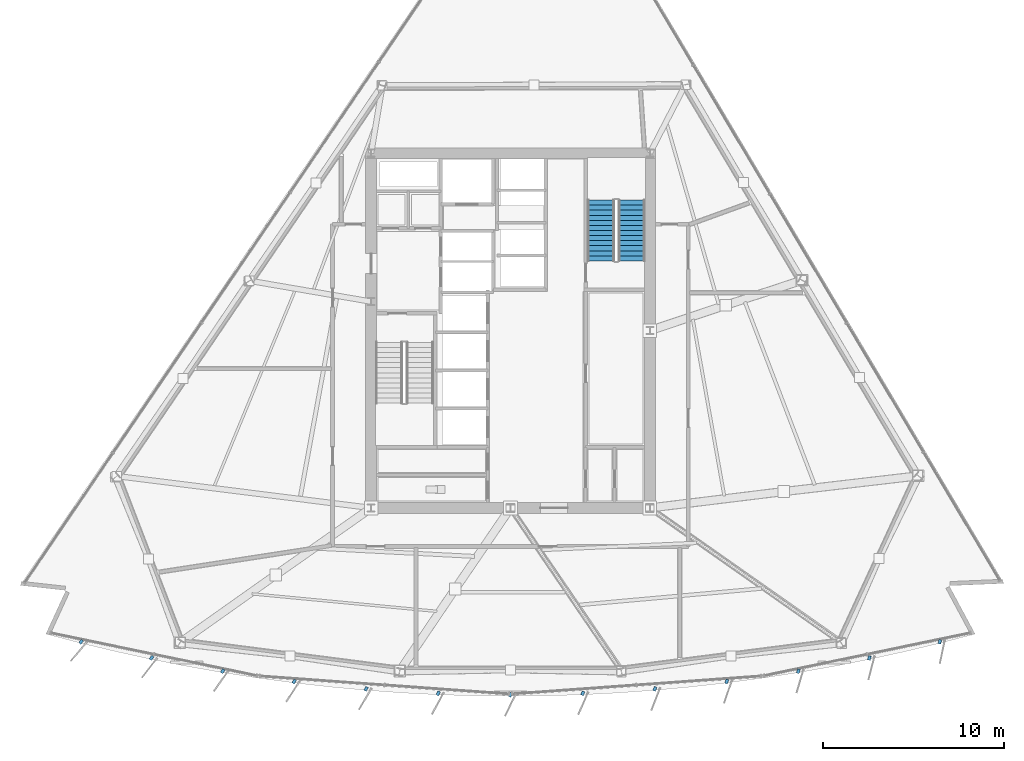
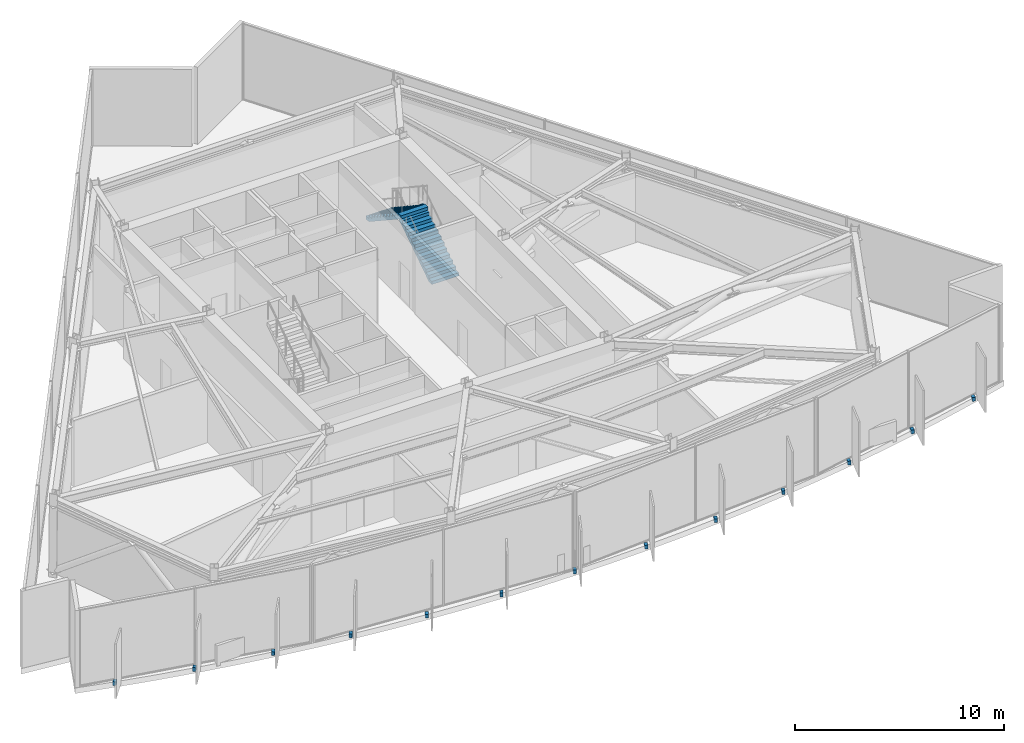
# One storey, part 10 of 14: 13 discrete accessories, 2 stair flights, 1 element without a shape of its own.
"""IFC4 building model written with IfcOpenShell, lengths in metres."""

from ifc_helpers import new_model, si_unit, direction, frame, origin, origin_2d, place, context, subcontext, project, spatial, polyline, rectangle, outline, extrude, material, type_object, element, aggregate, save


model = new_model("IFC4")

# Units and contexts
model_context = context("Model", 3, precision=1e-05, world=origin(), true_north=direction((0.0, 1.0)))
body_context = subcontext(model_context, "Body", "Model", "MODEL_VIEW")
ifc_project = project(units=[si_unit("LENGTHUNIT", "METRE"), si_unit("AREAUNIT", "SQUARE_METRE"), si_unit("VOLUMEUNIT", "CUBIC_METRE"), si_unit("PLANEANGLEUNIT", "RADIAN"), si_unit("MASSUNIT", "GRAM", prefix="KILO")], contexts=[model_context])

# Site, building, storey
site_placement = place(None, origin())
site = spatial("IfcSite", under=ifc_project, at=site_placement, CompositionType="ELEMENT")
building_placement = place(site_placement, origin())
building = spatial("IfcBuilding", under=site, at=building_placement, Name="Savorim Split Tower", CompositionType="ELEMENT")
storey_placement = place(building_placement, frame((0.0, 0.0, 129.300048828125)))
storey = spatial("IfcBuildingStorey", under=building, at=storey_placement, Name="L34", CompositionType="ELEMENT", Elevation=129.300048828125)

# Stair, stair flights
ifc_material_1 = material(Name="Concrete C50/60", Category="concrete")
stair_type = type_object("IfcStairType", Name="STR-DOG-4800", PredefinedType="HALF_TURN_STAIR", material=ifc_material_1)
stair_placement = place(storey_placement, origin())
stair = element("IfcStair", 1, at=stair_placement, inside=storey, type_object=stair_type, Name="L34 Core Protected Exit Stair ST-2", PredefinedType="HALF_TURN_STAIR")
stair_flight_type = type_object("IfcStairFlightType", Name="SFL-DOG-4800", PredefinedType="STRAIGHT", material=ifc_material_1)
stair_flight_1_placement = place(storey_placement, frame((6.699951171875, 4.25, 0.0), z_axis=(0.0, 0.0, 1.0), x_axis=(0.0, 1.0, 0.0)))
stair_flight_1 = element("IfcStairFlight", 2, at=stair_flight_1_placement, type_object=stair_flight_type, Name="ST-2 flight 1", NumberOfRisers=13, NumberOfTreads=12, PredefinedType="STRAIGHT", RiserHeight=0.184615385, TreadLength=0.28, context=body_context, shape_type="SweptSolid", body=[
    extrude(outline(polyline([(0.0, 0.0), (0.0, 0.1845703125), (0.280029296875, 0.1845703125), (0.280029296875, 0.369140625), (0.56005859375, 0.369140625), (0.56005859375, 0.553955078125), (0.840087890625, 0.553955078125), (0.840087890625, 0.738525390625), (1.1201171875, 0.738525390625), (1.1201171875, 0.923095703125), (1.39990234375, 0.923095703125), (1.39990234375, 1.107666015625), (1.679931640625, 1.107666015625), (1.679931640625, 1.292236328125), (1.9599609375, 1.292236328125), (1.9599609375, 1.476806640625), (2.239990234375, 1.476806640625), (2.239990234375, 1.66162109375), (2.52001953125, 1.66162109375), (2.52001953125, 1.84619140625), (2.800048828125, 1.84619140625), (2.800048828125, 2.03076171875), (3.080078125, 2.03076171875), (3.080078125, 2.21533203125), (3.360107421875, 2.21533203125), (3.360107421875, 2.39990234375), (3.360107421875, 2.035888671875), (0.272216796875, 0.0), (0.0, 0.0)])), frame((0.0, 0.75, 0.0), z_axis=(0.0, -1.0, 0.0), x_axis=(1.0, 0.0, 0.0)), (0.0, 0.0, 1.0), 1.5),
])
stair_flight_2_placement = place(storey_placement, frame((5.0, 7.610107421875, 2.39990234375), z_axis=(0.0, 0.0, 1.0), x_axis=(0.0, -1.0, 0.0)))
stair_flight_2 = element("IfcStairFlight", 3, at=stair_flight_2_placement, type_object=stair_flight_type, Name="ST-2 flight 2", NumberOfRisers=13, NumberOfTreads=12, PredefinedType="STRAIGHT", RiserHeight=0.184615385, TreadLength=0.28, context=body_context, shape_type="SweptSolid", body=[
    extrude(outline(polyline([(0.0, 0.0), (0.0, 0.1845703125), (0.280029296875, 0.1845703125), (0.280029296875, 0.369140625), (0.56005859375, 0.369140625), (0.56005859375, 0.553955078125), (0.840087890625, 0.553955078125), (0.840087890625, 0.738525390625), (1.1201171875, 0.738525390625), (1.1201171875, 0.923095703125), (1.39990234375, 0.923095703125), (1.39990234375, 1.107666015625), (1.679931640625, 1.107666015625), (1.679931640625, 1.292236328125), (1.9599609375, 1.292236328125), (1.9599609375, 1.476806640625), (2.239990234375, 1.476806640625), (2.239990234375, 1.66162109375), (2.52001953125, 1.66162109375), (2.52001953125, 1.84619140625), (2.800048828125, 1.84619140625), (2.800048828125, 2.03076171875), (3.080078125, 2.03076171875), (3.080078125, 2.21533203125), (3.360107421875, 2.21533203125), (3.360107421875, 2.39990234375), (3.360107421875, 2.035888671875), (0.272216796875, 0.0), (0.0, 0.0)])), frame((0.0, 0.75, 0.0), z_axis=(0.0, -1.0, 0.0), x_axis=(1.0, 0.0, 0.0)), (0.0, 0.0, 1.0), 1.5),
])
aggregate(stair, [stair_flight_1, stair_flight_2])

# Discrete accessories
ifc_material_2 = material(Name="Steel S355", Category="steel")
discrete_accessory_type = type_object("IfcDiscreteAccessoryType", Name="ACC-BRK-FIN", PredefinedType="BRACKET", material=ifc_material_2)
for number, where, z_axis, x_axis, name in (
    (4, (-23.720703125, -16.79443359375, -0.18994140625), (0.0, 0.0, 1.0), (-0.643719022682, -0.765261928909, 0.0), "L34 Fin Slab-Edge Cleat Bracket 01"),
    (5, (-19.828369140625, -17.685791015625, -0.18994140625), (0.0, 0.0, 1.0), (-0.611868076908, -0.790959832394, 0.0), "L34 Fin Slab-Edge Cleat Bracket 02"),
    (6, (-15.902587890625, -18.4169921875, -0.18994140625), (0.0, 0.0, 1.0), (-0.578993757737, -0.815331974414, 0.0), "L34 Fin Slab-Edge Cleat Bracket 03"),
    (7, (-11.950439453125, -18.987060546875, -0.18994140625), (0.0, 0.0, 1.0), (-0.545148321708, -0.838339613366, 0.0), "L34 Fin Slab-Edge Cleat Bracket 04"),
    (8, (-7.97802734375, -19.39501953125, -0.18994140625), (0.0, 0.0, 1.0), (-0.510391336723, -0.859942255851, 0.0), "L34 Fin Slab-Edge Cleat Bracket 05"),
    (9, (-3.992431640625, -19.639892578125, -0.18994140625), (0.0, 0.0, 1.0), (-0.474778051978, -0.880105562623, 0.0), "L34 Fin Slab-Edge Cleat Bracket 06"),
    (10, (0.0, -19.7216796875, -0.18994140625), (0.0, 0.0, 1.0), (-0.438371146789, -0.898794046299, 0.0), "L34 Fin Slab-Edge Cleat Bracket 07"),
    (11, (3.992431640625, -19.639892578125, -0.18994140625), (0.0, 0.0, 1.0), (-0.401230091723, -0.915977299662, 0.0), "L34 Fin Slab-Edge Cleat Bracket 08"),
    (12, (7.97802734375, -19.39501953125, -0.18994140625), (0.0, 0.0, 1.0), (-0.363415461732, -0.931627179817, 0.0), "L34 Fin Slab-Edge Cleat Bracket 09"),
    (13, (11.950439453125, -18.987060546875, -0.18994140625), (0.0, 0.0, 1.0), (-0.324993810493, -0.945716143005, 0.0), "L34 Fin Slab-Edge Cleat Bracket 10"),
    (14, (15.902587890625, -18.4169921875, -0.18994140625), (0.0, 0.0, 1.0), (-0.286026212504, -0.958221793616, 0.0), "L34 Fin Slab-Edge Cleat Bracket 11"),
    (15, (19.828369140625, -17.685791015625, -0.18994140625), (0.0, 0.0, 1.0), (-0.246581250663, -0.969122121727, 0.0), "L34 Fin Slab-Edge Cleat Bracket 12"),
    (16, (23.720703125, -16.79443359375, -0.18994140625), (0.0, 0.0, 1.0), (-0.206721626106, -0.978399800337, 0.0), "L34 Fin Slab-Edge Cleat Bracket 13"),
):
    element("IfcDiscreteAccessory", number, at=place(storey_placement, frame(where, z_axis=z_axis, x_axis=x_axis)), inside=storey, type_object=discrete_accessory_type, Name=name, PredefinedType="BRACKET", context=body_context, shape_type="SweptSolid", body=[
        extrude(rectangle(XDim=0.239990234375, YDim=0.159912109375, at=origin_2d()), origin(), (0.0, 0.0, 1.0), 0.219970703125),
    ])

save(model, "model.ifc")
